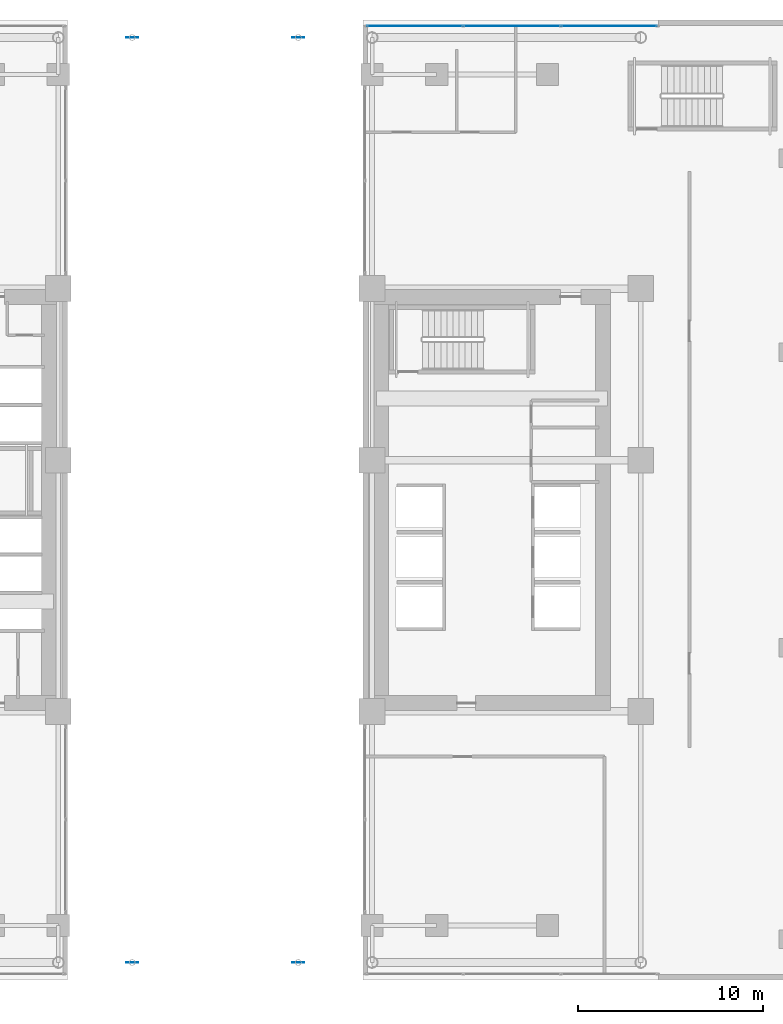
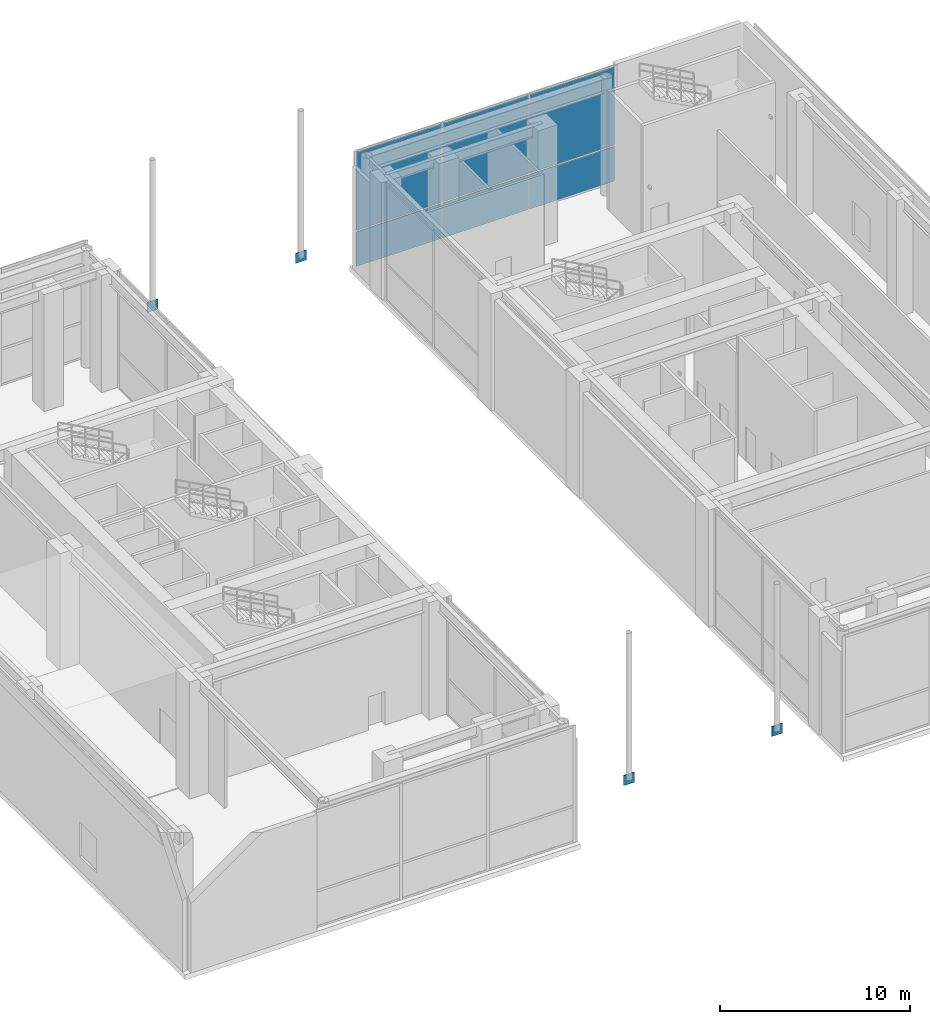
# One storey, part 19 of 29: 10 plates, 1 element without a shape of its own.
"""IFC4 building model written with IfcOpenShell, lengths in metres."""

from ifc_helpers import new_model, si_unit, direction, frame, origin, origin_2d, place, context, subcontext, project, spatial, rectangle, extrude, source, transform, mapped, material, layer, layer_set, type_object, element, aggregate, save


model = new_model("IFC4")

# Units and contexts
model_context = context("Model", 3, precision=1e-05, world=origin(), true_north=direction((0.0, 1.0)))
body_context = subcontext(model_context, "Body", "Model", "MODEL_VIEW")
ifc_project = project(units=[si_unit("LENGTHUNIT", "METRE"), si_unit("AREAUNIT", "SQUARE_METRE"), si_unit("VOLUMEUNIT", "CUBIC_METRE"), si_unit("PLANEANGLEUNIT", "RADIAN"), si_unit("MASSUNIT", "GRAM", prefix="KILO")], contexts=[model_context])

# Site, building, storey
site_placement = place(None, origin())
site = spatial("IfcSite", under=ifc_project, at=site_placement, CompositionType="ELEMENT")
building_placement = place(site_placement, origin())
building = spatial("IfcBuilding", under=site, at=building_placement, Name="Ocotamira Hotel", CompositionType="ELEMENT")
storey_placement = place(building_placement, frame((0.0, 0.0, 11.39990234375)))
storey = spatial("IfcBuildingStorey", under=building, at=storey_placement, Name="L03", CompositionType="ELEMENT", Elevation=11.39990234375)

# Plates
ifc_material_1 = material(Name="Pale-metal coated steel ASTM A572 Grade 50", Category="steel")
ifc_layer_1 = layer(ifc_material_1, 0.0400390625)
ifc_layer_set_1 = layer_set([ifc_layer_1], Name="Pale-metal coated steel ASTM A572 Grade 50")
plate_type_1 = type_object("IfcPlateType", Name="PLT-GUSSET-40", PredefinedType="SHEET", material=ifc_layer_set_1)
shared_shape_1 = source(origin(), body_context, "Body", "SweptSolid", [
    extrude(rectangle(XDim=0.64990234375, YDim=0.0400390625, at=origin_2d()), origin(), (0.0, 0.0, 1.0), 0.64990234375),
])
for number, where, z_axis, x_axis, name in (
    (1, (27.5, 0.949951171875, 2.0751953125), (0.0, 0.0, 1.0), (1.0, 0.0, 0.0), "L03 Giant Portal Arch Rib S1 End Gusset B"),
    (2, (36.5, 0.949951171875, 2.0751953125), (0.0, 0.0, 1.0), (1.0, 0.0, 0.0), "L03 Giant Portal Arch Rib S3 End Gusset B"),
    (3, (27.5, 51.050048828125, 2.0751953125), (0.0, 0.0, 1.0), (1.0, 0.0, 0.0), "L03 Giant Portal Arch Rib N1 End Gusset B"),
    (4, (36.5, 51.050048828125, 2.0751953125), (0.0, 0.0, 1.0), (1.0, 0.0, 0.0), "L03 Giant Portal Arch Rib N3 End Gusset B"),
):
    element("IfcPlate", number, at=place(storey_placement, frame(where, z_axis=z_axis, x_axis=x_axis)), inside=storey, type_object=plate_type_1, Name=name, PredefinedType="SHEET", context=body_context, shape_type="MappedRepresentation", body=[
        mapped(shared_shape_1, transform((0.0, 0.0, 0.0), scale=1.0)),
    ])

# Curtain wall, plates
ifc_material_2 = material(Name="Anodised pale-metal aluminium and solar glass", Category="aluminium")
ifc_layer_2 = layer(ifc_material_2, 0.219970703125)
ifc_layer_set_2 = layer_set([ifc_layer_2], Name="Anodised pale-metal aluminium and solar glass")
curtain_wall_type = type_object("IfcCurtainWallType", Name="CW-SYS1-POD", PredefinedType="NOTDEFINED", material=ifc_layer_set_2)
curtain_wall_placement = place(storey_placement, origin())
curtain_wall = element("IfcCurtainWall", 5, at=curtain_wall_placement, inside=storey, type_object=curtain_wall_type, Name="L03 Curtain Wall CW-1 CW-L03-NE", PredefinedType="NOTDEFINED")
ifc_material_3 = material(Name="Double-silver low-E insulated solar glass", Category="glass")
ifc_layer_3 = layer(ifc_material_3, 0.031982421875)
ifc_layer_set_3 = layer_set([ifc_layer_3], Name="Double-silver low-E insulated solar glass")
plate_type_2 = type_object("IfcPlateType", Name="CWP-VISION-32", PredefinedType="CURTAIN_PANEL", material=ifc_layer_set_3)
shared_shape_2 = source(origin(), body_context, "Body", "SweptSolid", [
    extrude(rectangle(XDim=5.163330078125, YDim=0.031982421875, at=origin_2d()), origin(), (0.0, 0.0, 1.0), 2.237548828125),
])
plate_1_placement = place(storey_placement, frame((42.811767578125, 51.679931640625, 0.0751953125), z_axis=(0.0, 0.0, 1.0), x_axis=(1.0, 0.0, 0.0)))
plate_1 = element("IfcPlate", 6, at=plate_1_placement, type_object=plate_type_2, Name="CW-1 panel 1.1", PredefinedType="CURTAIN_PANEL", context=body_context, shape_type="MappedRepresentation", body=[
    mapped(shared_shape_2, transform((0.0, 0.0, 0.0), scale=1.0)),
])
plate_2_placement = place(storey_placement, frame((53.33837890625, 51.679931640625, 0.0751953125), z_axis=(0.0, 0.0, 1.0), x_axis=(1.0, 0.0, 0.0)))
plate_2 = element("IfcPlate", 7, at=plate_2_placement, type_object=plate_type_2, Name="CW-1 panel 3.1", PredefinedType="CURTAIN_PANEL", context=body_context, shape_type="MappedRepresentation", body=[
    mapped(shared_shape_2, transform((0.0, 0.0, 0.0), scale=1.0)),
])
shared_shape_3 = source(origin(), body_context, "Body", "SweptSolid", [
    extrude(rectangle(XDim=5.203369140625, YDim=0.031982421875, at=origin_2d()), origin(), (0.0, 0.0, 1.0), 2.237548828125),
])
plate_3_placement = place(storey_placement, frame((48.074951171875, 51.679931640625, 0.0751953125), z_axis=(0.0, 0.0, 1.0), x_axis=(1.0, 0.0, 0.0)))
plate_3 = element("IfcPlate", 8, at=plate_3_placement, type_object=plate_type_2, Name="CW-1 panel 2.1", PredefinedType="CURTAIN_PANEL", context=body_context, shape_type="MappedRepresentation", body=[
    mapped(shared_shape_3, transform((0.0, 0.0, 0.0), scale=1.0)),
])
shared_shape_4 = source(origin(), body_context, "Body", "SweptSolid", [
    extrude(rectangle(XDim=5.163330078125, YDim=0.031982421875, at=origin_2d()), origin(), (0.0, 0.0, 1.0), 5.047607421875),
])
plate_4_placement = place(storey_placement, frame((42.811767578125, 51.679931640625, 2.3876953125), z_axis=(0.0, 0.0, 1.0), x_axis=(1.0, 0.0, 0.0)))
plate_4 = element("IfcPlate", 9, at=plate_4_placement, type_object=plate_type_2, Name="CW-1 panel 1.2", PredefinedType="CURTAIN_PANEL", context=body_context, shape_type="MappedRepresentation", body=[
    mapped(shared_shape_4, transform((0.0, 0.0, 0.0), scale=1.0)),
])
plate_5_placement = place(storey_placement, frame((53.33837890625, 51.679931640625, 2.3876953125), z_axis=(0.0, 0.0, 1.0), x_axis=(1.0, 0.0, 0.0)))
plate_5 = element("IfcPlate", 10, at=plate_5_placement, type_object=plate_type_2, Name="CW-1 panel 3.2", PredefinedType="CURTAIN_PANEL", context=body_context, shape_type="MappedRepresentation", body=[
    mapped(shared_shape_4, transform((0.0, 0.0, 0.0), scale=1.0)),
])
shared_shape_5 = source(origin(), body_context, "Body", "SweptSolid", [
    extrude(rectangle(XDim=5.203369140625, YDim=0.031982421875, at=origin_2d()), origin(), (0.0, 0.0, 1.0), 5.047607421875),
])
plate_6_placement = place(storey_placement, frame((48.074951171875, 51.679931640625, 2.3876953125), z_axis=(0.0, 0.0, 1.0), x_axis=(1.0, 0.0, 0.0)))
plate_6 = element("IfcPlate", 11, at=plate_6_placement, type_object=plate_type_2, Name="CW-1 panel 2.2", PredefinedType="CURTAIN_PANEL", context=body_context, shape_type="MappedRepresentation", body=[
    mapped(shared_shape_5, transform((0.0, 0.0, 0.0), scale=1.0)),
])
aggregate(curtain_wall, [plate_1, plate_4, plate_3, plate_6, plate_2, plate_5])

save(model, "model.ifc")
